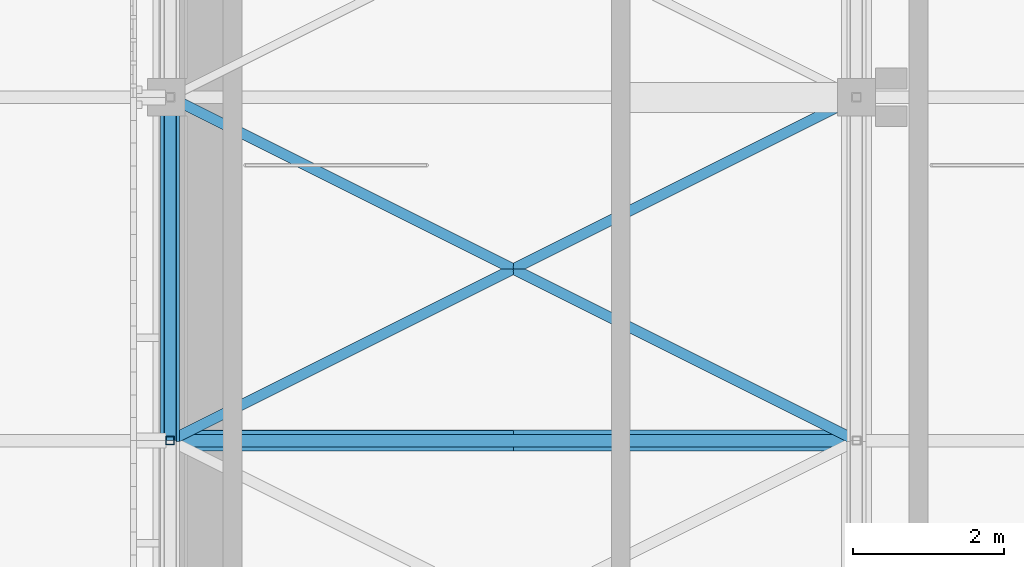
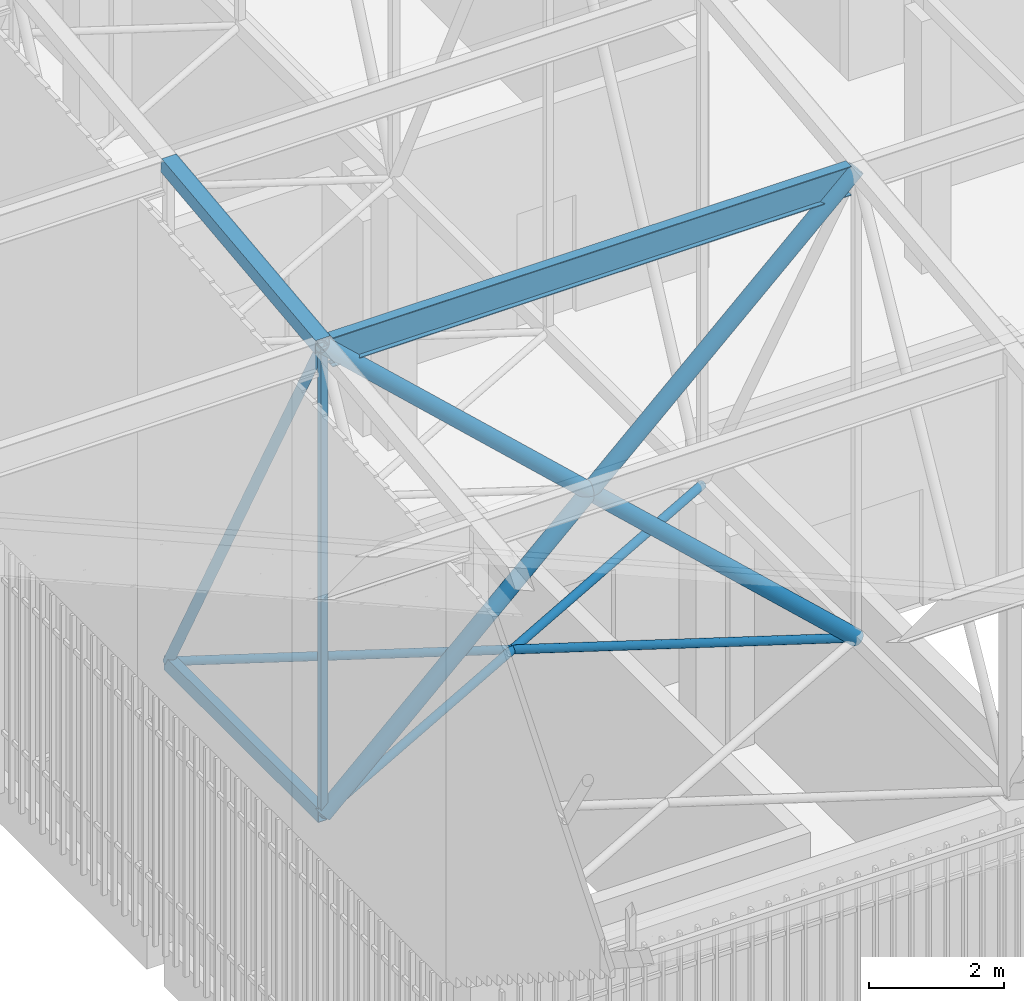
# One storey, part 6 of 500: 9 members.
"""IFC4 building model written with IfcOpenShell, lengths in metres."""

from ifc_helpers import new_model, si_unit, direction, frame, origin, origin_2d, place, context, subcontext, project, spatial, hollow_rectangle, hollow_circle, i_section, extrude, material, material_profile, profile_set, type_object, element, save


model = new_model("IFC4")

# Units and contexts
model_context = context("Model", 3, precision=1e-05, world=origin(), true_north=direction((0.0, 1.0)))
body_context = subcontext(model_context, "Body", "Model", "MODEL_VIEW")
ifc_project = project(units=[si_unit("LENGTHUNIT", "METRE"), si_unit("AREAUNIT", "SQUARE_METRE"), si_unit("VOLUMEUNIT", "CUBIC_METRE"), si_unit("PLANEANGLEUNIT", "RADIAN"), si_unit("MASSUNIT", "GRAM", prefix="KILO")], contexts=[model_context])

# Site, building, storey
site_placement = place(None, origin())
site = spatial("IfcSite", under=ifc_project, at=site_placement, CompositionType="ELEMENT")
building_placement = place(site_placement, origin())
building = spatial("IfcBuilding", under=site, at=building_placement, Name="Shirokan Park Arena", CompositionType="ELEMENT")
storey_placement = place(building_placement, frame((0.0, 0.0, 29.1201171875)))
storey = spatial("IfcBuildingStorey", under=building, at=storey_placement, Name="L06", CompositionType="ELEMENT", Elevation=29.1201171875)

# Members
ifc_material_1 = material(Name="Steel ASTM A500 Grade C", Category="steel")
ifc_material_profile_1 = material_profile(ifc_material_1, hollow_circle(Radius=0.136474609375, WallThickness=0.009521484375, at=origin_2d()), Name="HSS273.1X9.5")
ifc_profile_set_1 = profile_set([ifc_material_profile_1], Name="Steel ASTM A500 Grade C")
member_type_1 = type_object("IfcMemberType", Name="Bearing bracing HSS273.1X9.5", PredefinedType="BRACE", material=ifc_profile_set_1)
for number, where, z_axis, x_axis, name in (
    (1, (0.0, 4.550048828125, 4.677001953125), (0.732162134473, 0.0, 0.681130390486), (0.0, 1.0, 0.0), "Bearing bracing bay 1 node 4 A"),
    (2, (9.10009765625, 4.550048828125, 4.677001953125), (-0.732162134473, 0.0, 0.681130390486), (0.0, -1.0, 0.0), "Bearing bracing bay 1 node 4 B"),
):
    element("IfcMember", number, at=place(storey_placement, frame(where, z_axis=z_axis, x_axis=x_axis)), inside=storey, type_object=member_type_1, Name=name, PredefinedType="BRACE", context=body_context, shape_type="SweptSolid", body=[
        extrude(hollow_circle(Radius=0.136474609375, WallThickness=0.009521484375, at=origin_2d()), origin(), (0.0, 0.0, 1.0), 12.428955078125),
    ])
ifc_material_profile_2 = material_profile(ifc_material_1, hollow_rectangle(XDim=0.152099609375, YDim=0.25390625, WallThickness=0.009521484375, at=origin_2d()), Name="HSS254X152.4X9.5")
ifc_profile_set_2 = profile_set([ifc_material_profile_2], Name="Steel ASTM A500 Grade C")
member_type_2 = type_object("IfcMemberType", Name="Bottom chord HSS254X152.4X9.5", PredefinedType="CHORD", material=ifc_profile_set_2)
member_1_placement = place(storey_placement, frame((0.0, 4.550048828125, 4.677001953125), z_axis=(0.0, 1.0, 0.0), x_axis=(-1.0, 0.0, 0.0)))
element("IfcMember", 3, at=member_1_placement, inside=storey, type_object=member_type_2, Name="Truss T01 bottom chord 4", PredefinedType="CHORD", context=body_context, shape_type="SweptSolid", body=[
    extrude(hollow_rectangle(XDim=0.152099609375, YDim=0.25390625, WallThickness=0.009521484375, at=origin_2d()), origin(), (0.0, 0.0, 1.0), 4.550048828125),
])
ifc_material_profile_3 = material_profile(ifc_material_1, hollow_circle(Radius=0.070556640625, WallThickness=0.009521484375, at=origin_2d()), Name="HSS141.3X9.5")
ifc_profile_set_3 = profile_set([ifc_material_profile_3], Name="Steel ASTM A500 Grade C")
member_type_3 = type_object("IfcMemberType", Name="Plan bracing HSS141.3X9.5", PredefinedType="BRACE", material=ifc_profile_set_3)
for number, where, z_axis, x_axis, name in (
    (4, (0.0, 4.550048828125, 4.677001953125), (0.894427191, 0.4472135955, 0.0), (-0.4472135955, 0.894427191, 0.0), "Plan bracing bay 1 panel 4 A"),
    (5, (9.10009765625, 4.550048828125, 4.677001953125), (-0.894427191, 0.4472135955, 0.0), (-0.4472135955, -0.894427191, 0.0), "Plan bracing bay 1 panel 4 B"),
):
    element("IfcMember", number, at=place(storey_placement, frame(where, z_axis=z_axis, x_axis=x_axis)), inside=storey, type_object=member_type_3, Name=name, PredefinedType="BRACE", context=body_context, shape_type="SweptSolid", body=[
        extrude(hollow_circle(Radius=0.070556640625, WallThickness=0.009521484375, at=origin_2d()), origin(), (0.0, 0.0, 1.0), 10.17431640625),
    ])
ifc_material_2 = material(Name="Steel ASTM A992", Category="steel")
ifc_material_profile_4 = material_profile(ifc_material_2, i_section(OverallWidth=0.166015625, OverallDepth=0.528076171875, WebThickness=0.009765625, FlangeThickness=0.013671875, at=origin_2d()), Name="W530X74")
ifc_profile_set_4 = profile_set([ifc_material_profile_4], Name="Steel ASTM A992")
member_type_4 = type_object("IfcMemberType", Name="Purlin W530X74", PredefinedType="PURLIN", material=ifc_profile_set_4)
member_2_placement = place(storey_placement, frame((0.126953125, 4.550048828125, 13.005859375), z_axis=(1.0, 0.0, 0.0), x_axis=(0.0, 1.0, 0.0)))
element("IfcMember", 6, at=member_2_placement, inside=storey, type_object=member_type_4, Name="Purlin 4 bay 1", PredefinedType="PURLIN", context=body_context, shape_type="SweptSolid", body=[
    extrude(i_section(OverallWidth=0.166015625, OverallDepth=0.528076171875, WebThickness=0.009765625, FlangeThickness=0.013671875, at=origin_2d()), origin(), (0.0, 0.0, 1.0), 8.845947265625),
])
ifc_material_profile_5 = material_profile(ifc_material_1, hollow_rectangle(XDim=0.25390625, YDim=0.25390625, WallThickness=0.009521484375, at=origin_2d()), Name="HSS254X254X9.5")
ifc_profile_set_5 = profile_set([ifc_material_profile_5], Name="Steel ASTM A500 Grade C")
member_type_5 = type_object("IfcMemberType", Name="Top chord HSS254X254X9.5", PredefinedType="CHORD", material=ifc_profile_set_5)
member_3_placement = place(storey_placement, frame((0.0, 4.550048828125, 13.142822265625), z_axis=(0.0, 0.993532328996, 0.113549598152), x_axis=(-1.0, 0.0, 0.0)))
element("IfcMember", 7, at=member_3_placement, inside=storey, type_object=member_type_5, Name="Truss T01 top chord 4", PredefinedType="CHORD", context=body_context, shape_type="SweptSolid", body=[
    extrude(hollow_rectangle(XDim=0.25390625, YDim=0.25390625, WallThickness=0.009521484375, at=origin_2d()), origin(), (0.0, 0.0, 1.0), 4.57958984375),
])
ifc_material_profile_6 = material_profile(ifc_material_1, hollow_circle(Radius=0.083984375, WallThickness=0.009521484375, at=origin_2d()), Name="HSS168.3X9.5")
ifc_profile_set_6 = profile_set([ifc_material_profile_6], Name="Steel ASTM A500 Grade C")
member_type_6 = type_object("IfcMemberType", Name="Truss diagonal HSS168.3X9.5", PredefinedType="BRACE", material=ifc_profile_set_6)
member_4_placement = place(storey_placement, frame((0.0, 4.550048828125, 13.142822265625), z_axis=(0.0, 0.473416507165, -0.880838697347), x_axis=(-1.0, 0.0, 0.0)))
element("IfcMember", 8, at=member_4_placement, inside=storey, type_object=member_type_6, Name="Truss T01 diagonal 4", PredefinedType="BRACE", context=body_context, shape_type="SweptSolid", body=[
    extrude(hollow_circle(Radius=0.083984375, WallThickness=0.009521484375, at=origin_2d()), origin(), (0.0, 0.0, 1.0), 9.611083984375),
])
ifc_material_profile_7 = material_profile(ifc_material_1, hollow_rectangle(XDim=0.114013671875, YDim=0.114013671875, WallThickness=0.00634765625, at=origin_2d()), Name="HSS114.3X114.3X6.4")
ifc_profile_set_7 = profile_set([ifc_material_profile_7], Name="Steel ASTM A500 Grade C")
member_type_7 = type_object("IfcMemberType", Name="Truss post HSS114.3X114.3X6.4", PredefinedType="POST", material=ifc_profile_set_7)
member_5_placement = place(storey_placement, frame((0.0, 4.550048828125, 4.677001953125), z_axis=(0.0, 0.0, 1.0), x_axis=(1.0, 0.0, 0.0)))
element("IfcMember", 9, at=member_5_placement, inside=storey, type_object=member_type_7, Name="Truss T01 post 4", PredefinedType="POST", context=body_context, shape_type="SweptSolid", body=[
    extrude(hollow_rectangle(XDim=0.114013671875, YDim=0.114013671875, WallThickness=0.00634765625, at=origin_2d()), origin(), (0.0, 0.0, 1.0), 8.4658203125),
])

save(model, "model.ifc")
